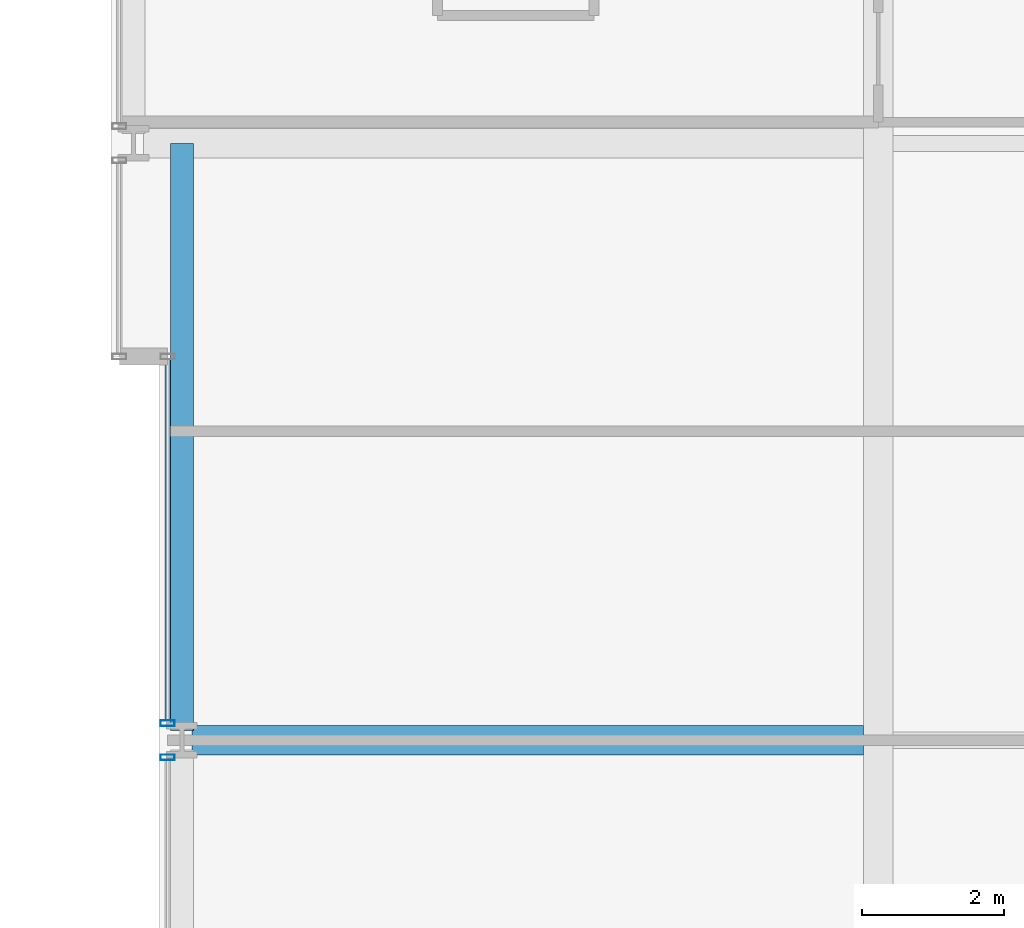
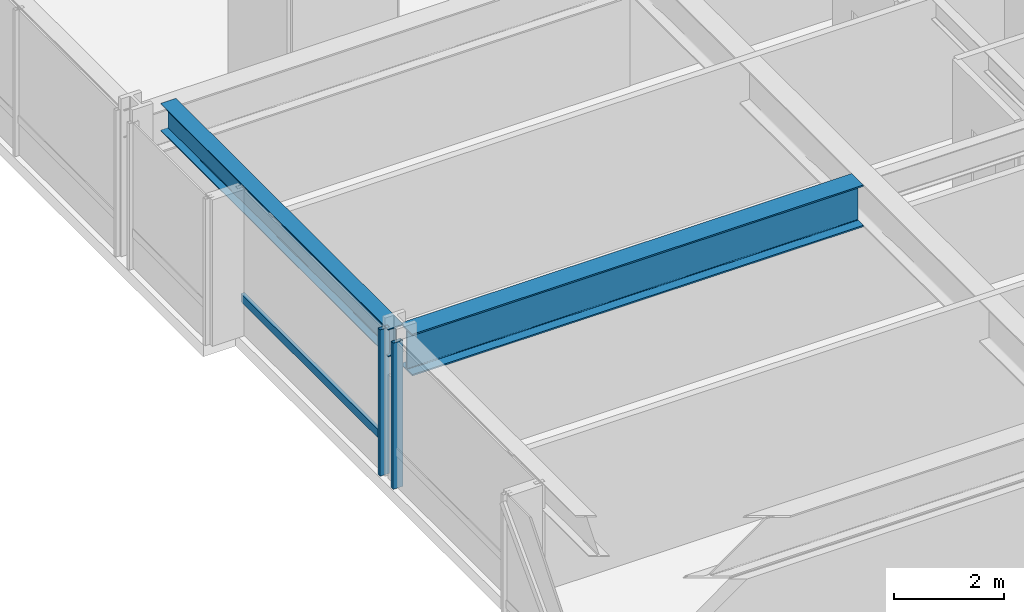
# One storey, part 9 of 39: 3 members, 2 beams, 2 elements without a shape of their own.
"""IFC4 building model written with IfcOpenShell, lengths in metres."""

from ifc_helpers import new_model, si_unit, direction, frame, origin, origin_2d, place, context, subcontext, project, spatial, hollow_rectangle, i_section, extrude, material, layer, layer_set, material_profile, profile_set, type_object, element, aggregate, save


model = new_model("IFC4")

# Units and contexts
model_context = context("Model", 3, precision=1e-05, world=origin(), true_north=direction((0.0, 1.0)))
body_context = subcontext(model_context, "Body", "Model", "MODEL_VIEW")
ifc_project = project(units=[si_unit("LENGTHUNIT", "METRE"), si_unit("AREAUNIT", "SQUARE_METRE"), si_unit("VOLUMEUNIT", "CUBIC_METRE"), si_unit("PLANEANGLEUNIT", "RADIAN"), si_unit("MASSUNIT", "GRAM", prefix="KILO")], contexts=[model_context])

# Site, building, storey
site_placement = place(None, origin())
site = spatial("IfcSite", under=ifc_project, at=site_placement, CompositionType="ELEMENT")
building_placement = place(site_placement, origin())
building = spatial("IfcBuilding", under=site, at=building_placement, Name="Drelvath Grand Hotel", CompositionType="ELEMENT")
storey_placement = place(building_placement, frame((0.0, 0.0, 40.199951171875)))
storey = spatial("IfcBuildingStorey", under=building, at=storey_placement, Name="L08", CompositionType="ELEMENT", Elevation=40.199951171875)

# Curtain wall, member
ifc_material_1 = material(Name="Warm Bronze Anodised Aluminium Frame", Category="aluminium")
ifc_layer = layer(ifc_material_1, 0.199951171875)
ifc_layer_set = layer_set([ifc_layer], Name="Warm Bronze Anodised Aluminium Frame")
curtain_wall_type = type_object("IfcCurtainWallType", Name="Stick Curtain Wall CW-02 Warm Bronze Low-Rise", PredefinedType="NOTDEFINED", material=ifc_layer_set)
curtain_wall_1_placement = place(storey_placement, origin())
curtain_wall_1 = element("IfcCurtainWall", 1, at=curtain_wall_1_placement, inside=storey, type_object=curtain_wall_type, Name="L08 CW-02 Curtain Wall CW02-L08-WM2", PredefinedType="NOTDEFINED")
ifc_material_profile_1 = material_profile(ifc_material_1, hollow_rectangle(XDim=0.074951171875, YDim=0.179931640625, WallThickness=0.0048828125, at=origin_2d()), Name="HSS180X75X5")
ifc_profile_set_1 = profile_set([ifc_material_profile_1], Name="Warm Bronze Anodised Aluminium Frame")
member_type_1 = type_object("IfcMemberType", Name="Curtain Wall Horizontal Transom CW-02 HSS180X75X5", PredefinedType="USERDEFINED", material=ifc_profile_set_1)
member_1_placement = place(storey_placement, frame((-26.199951171875, 27.281005859375, 0.81005859375), z_axis=(0.0, 1.0, 0.0), x_axis=(-1.0, 0.0, 0.0)))
member_1 = element("IfcMember", 2, at=member_1_placement, type_object=member_type_1, Name="CW02-L08-WM2 Sill Transom", ObjectType="TRANSOM", PredefinedType="USERDEFINED", context=body_context, shape_type="SweptSolid", body=[
    extrude(hollow_rectangle(XDim=0.074951171875, YDim=0.179931640625, WallThickness=0.0048828125, at=origin_2d()), origin(), (0.0, 0.0, 1.0), 5.0791015625),
])

curtain_wall_2_placement = place(storey_placement, origin())
curtain_wall_2 = element("IfcCurtainWall", 3, at=curtain_wall_2_placement, inside=storey, type_object=curtain_wall_type, Name="L08 CW-02 Curtain Wall CW02-L08-WM1", PredefinedType="NOTDEFINED")
ifc_material_profile_2 = material_profile(ifc_material_1, hollow_rectangle(XDim=0.080078125, YDim=0.199951171875, WallThickness=0.0048828125, at=origin_2d()), Name="HSS200X80X5")
ifc_profile_set_2 = profile_set([ifc_material_profile_2], Name="Warm Bronze Anodised Aluminium Frame")
member_type_2 = type_object("IfcMemberType", Name="Curtain Wall Vertical Mullion CW-02 HSS200X80X5", PredefinedType="MULLION", material=ifc_profile_set_2)
member_2_placement = place(storey_placement, frame((-26.199951171875, 26.759033203125, 0.0), z_axis=(0.0, 0.0, 1.0), x_axis=(0.0, 1.0, 0.0)))
member_2 = element("IfcMember", 4, at=member_2_placement, type_object=member_type_2, Name="CW02-L08-WM1 Mullion 2", PredefinedType="MULLION", context=body_context, shape_type="SweptSolid", body=[
    extrude(hollow_rectangle(XDim=0.080078125, YDim=0.199951171875, WallThickness=0.0048828125, at=origin_2d()), origin(), (0.0, 0.0, 1.0), 3.239990234375),
])
aggregate(curtain_wall_2, [member_2])

# Member
member_3_placement = place(storey_placement, frame((-26.199951171875, 27.240966796875, 0.0), z_axis=(0.0, 0.0, 1.0), x_axis=(0.0, 1.0, 0.0)))
member_3 = element("IfcMember", 5, at=member_3_placement, type_object=member_type_2, Name="CW02-L08-WM2 Mullion 1", PredefinedType="MULLION", context=body_context, shape_type="SweptSolid", body=[
    extrude(hollow_rectangle(XDim=0.080078125, YDim=0.199951171875, WallThickness=0.0048828125, at=origin_2d()), origin(), (0.0, 0.0, 1.0), 3.239990234375),
])

aggregate(curtain_wall_1, [member_3, member_1])

# Beams
ifc_material_2 = material(Name="Steel ASTM A992 Gr 50", Category="steel")
ifc_material_profile_3 = material_profile(ifc_material_2, i_section(OverallWidth=0.323974609375, OverallDepth=0.611083984375, WebThickness=0.0126953125, FlangeThickness=0.01904296875, FilletRadius=0.02197265625, at=origin_2d()), Name="W24X104")
ifc_profile_set_3 = profile_set([ifc_material_profile_3], Name="Steel ASTM A992 Gr 50")
beam_type_1 = type_object("IfcBeamType", Name="Perimeter Spandrel Beam W24X104", PredefinedType="SPANDREL", material=ifc_profile_set_3)
beam_1_placement = place(storey_placement, frame((-26.0, 27.139892578125, 2.9345703125), z_axis=(0.0, 1.0, 0.0), x_axis=(-1.0, 0.0, 0.0)))
element("IfcBeam", 6, at=beam_1_placement, inside=storey, type_object=beam_type_1, Name="L08 Spandrel West Mid N", PredefinedType="SPANDREL", context=body_context, shape_type="SweptSolid", body=[
    extrude(i_section(OverallWidth=0.323974609375, OverallDepth=0.611083984375, WebThickness=0.0126953125, FlangeThickness=0.01904296875, FilletRadius=0.02197265625, at=origin_2d()), origin(), (0.0, 0.0, 1.0), 8.260009765625),
])
ifc_material_profile_4 = material_profile(ifc_material_2, i_section(OverallWidth=0.418212890625, OverallDepth=0.926513671875, WebThickness=0.019287109375, FlangeThickness=0.031982421875, FilletRadius=0.028076171875, at=origin_2d()), Name="W36X231")
ifc_profile_set_4 = profile_set([ifc_material_profile_4], Name="Steel ASTM A992 Gr 50")
beam_type_2 = type_object("IfcBeamType", Name="Primary Floor Girder W36X231", PredefinedType="BEAM", material=ifc_profile_set_4)
beam_2_placement = place(storey_placement, frame((-25.860107421875, 27.0, 2.77685546875), z_axis=(1.0, 0.0, 0.0), x_axis=(0.0, 1.0, 0.0)))
element("IfcBeam", 7, at=beam_2_placement, inside=storey, type_object=beam_type_2, Name="L08 West Wing Girder E", PredefinedType="BEAM", context=body_context, shape_type="SweptSolid", body=[
    extrude(i_section(OverallWidth=0.418212890625, OverallDepth=0.926513671875, WebThickness=0.019287109375, FlangeThickness=0.031982421875, FilletRadius=0.028076171875, at=origin_2d()), origin(), (0.0, 0.0, 1.0), 9.450927734375),
])

save(model, "model.ifc")
